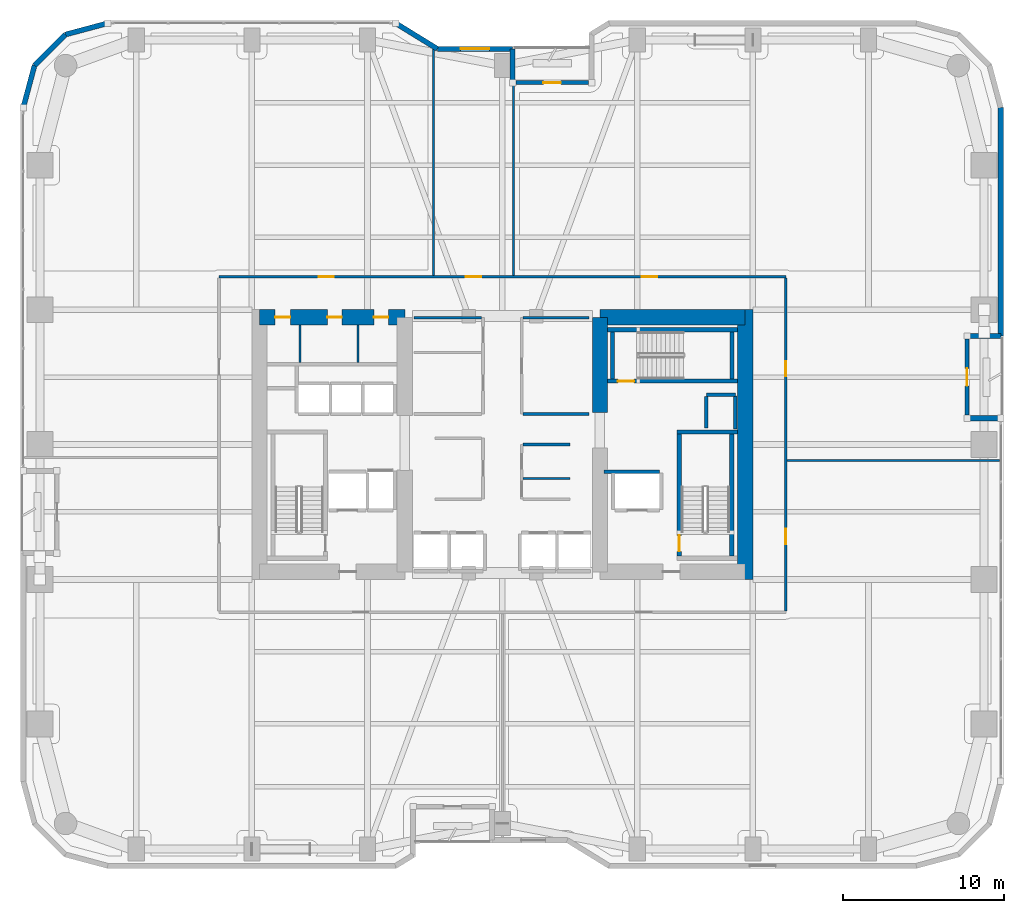
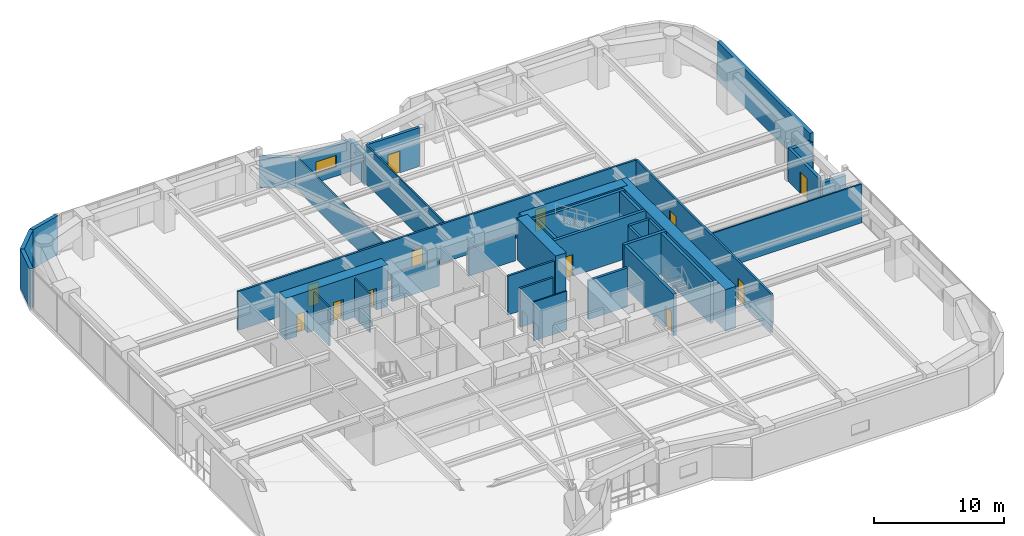
# One storey, part 24 of 29: 38 walls, 12 doors, 1 window, 13 openings.
"""IFC4 building model written with IfcOpenShell, lengths in metres."""

from ifc_helpers import new_model, si_unit, direction, frame, frame_2d, origin, place, context, subcontext, project, spatial, rectangle, extrude, material, layer, layer_set, type_object, element, fill, save


model = new_model("IFC4")

# Units and contexts
model_context = context("Model", 3, precision=1e-05, world=origin(), true_north=direction((0.0, 1.0)))
body_context = subcontext(model_context, "Body", "Model", "MODEL_VIEW")
ifc_project = project(units=[si_unit("LENGTHUNIT", "METRE"), si_unit("AREAUNIT", "SQUARE_METRE"), si_unit("VOLUMEUNIT", "CUBIC_METRE"), si_unit("PLANEANGLEUNIT", "RADIAN"), si_unit("MASSUNIT", "GRAM", prefix="KILO")], contexts=[model_context])

# Site, building, storey
site_placement = place(None, origin())
site = spatial("IfcSite", under=ifc_project, at=site_placement, CompositionType="ELEMENT")
building_placement = place(site_placement, origin())
building = spatial("IfcBuilding", under=site, at=building_placement, Name="Kiyonajd Concourse Tower", CompositionType="ELEMENT")
storey_placement = place(building_placement, frame((0.0, 0.0, 29.39990234375)))
storey = spatial("IfcBuildingStorey", under=building, at=storey_placement, Name="L08", CompositionType="ELEMENT", Elevation=29.39990234375)

# Wall, openings, doors
ifc_material_1 = material(Name="Concrete C80/95", Category="concrete")
ifc_layer_1 = layer(ifc_material_1, 0.949951171875)
ifc_layer_set_1 = layer_set([ifc_layer_1], Name="Concrete C80/95")
wall_type_1 = type_object("IfcWallType", Name="WL-CORE-950", PredefinedType="SHEAR", material=ifc_layer_set_1)
wall_1_placement = place(storey_placement, frame((32.875, 43.925048828125, 0.0), z_axis=(0.0, 0.0, 1.0), x_axis=(1.0, 0.0, 0.0)))
wall_1 = element("IfcWall", 1, at=wall_1_placement, inside=storey, type_object=wall_type_1, Name="L08 West Core North Shear Wall", PredefinedType="SHEAR", context=body_context, shape_type="SweptSolid", body=[
    extrude(rectangle(XDim=9.050048828125, YDim=0.949951171875, at=frame_2d((4.52490234375, 0.0))), origin(), (0.0, 0.0, 1.0), 3.900146484375),
])
opening_1_placement = place(wall_1_placement, frame((0.97509765625, 0.0, 0.0)))
opening_1 = element("IfcOpeningElement", 2, at=opening_1_placement, cuts=wall_1, Name="Opening DI1", PredefinedType="OPENING", context=body_context, shape_type="SweptSolid", body=[
    extrude(rectangle(XDim=0.949951171875, YDim=2.0400390625, at=frame_2d((0.47509765625, 1.02001953125))), frame((0.0, 0.48486328125, 0.0), z_axis=(0.0, -1.0, 0.0), x_axis=(1.0, 0.0, 0.0)), (0.0, 0.0, 1.0), 0.969970703125),
])
opening_2_placement = place(wall_1_placement, frame((4.22509765625, 0.0, 0.0)))
opening_2 = element("IfcOpeningElement", 3, at=opening_2_placement, cuts=wall_1, Name="Opening DI2", PredefinedType="OPENING", context=body_context, shape_type="SweptSolid", body=[
    extrude(rectangle(XDim=0.89990234375, YDim=2.02001953125, at=frame_2d((0.449951171875, 1.010009765625))), frame((0.0, 0.48486328125, 0.0), z_axis=(0.0, -1.0, 0.0), x_axis=(1.0, 0.0, 0.0)), (0.0, 0.0, 1.0), 0.969970703125),
])
opening_3_placement = place(wall_1_placement, frame((7.125, 0.0, 0.0)))
opening_3 = element("IfcOpeningElement", 4, at=opening_3_placement, cuts=wall_1, Name="Opening DI2", PredefinedType="OPENING", context=body_context, shape_type="SweptSolid", body=[
    extrude(rectangle(XDim=0.89990234375, YDim=2.02001953125, at=frame_2d((0.449951171875, 1.010009765625))), frame((0.0, 0.48486328125, 0.0), z_axis=(0.0, -1.0, 0.0), x_axis=(1.0, 0.0, 0.0)), (0.0, 0.0, 1.0), 0.969970703125),
])
ifc_material_2 = material(Name="Natural Oak Acoustic Timber Veneer", Category="wood")
door_type_1 = type_object("IfcDoorType", Name="DR-INT-900", OperationType="NOTDEFINED", PredefinedType="DOOR", material=ifc_material_2)
door_1_placement = place(opening_2_placement, origin())
door_1 = element("IfcDoor", 5, at=door_1_placement, inside=storey, type_object=door_type_1, Name="L08 Male Restroom Door", OperationType="SINGLE_SWING_RIGHT", OverallHeight=2.02001953125, OverallWidth=0.89990234375, PredefinedType="DOOR", context=body_context, shape_type="SweptSolid", body=[
    extrude(rectangle(XDim=0.89990234375, YDim=2.02001953125, at=frame_2d((0.449951171875, 1.010009765625))), frame((0.0, 0.02490234375, 0.0), z_axis=(0.0, -1.0, 0.0), x_axis=(1.0, 0.0, 0.0)), (0.0, 0.0, 1.0), 0.050048828125),
])
fill(opening_2, door_1)
door_2_placement = place(opening_3_placement, origin())
door_2 = element("IfcDoor", 6, at=door_2_placement, inside=storey, type_object=door_type_1, Name="L08 Female Restroom Door", OperationType="SINGLE_SWING_LEFT", OverallHeight=2.02001953125, OverallWidth=0.89990234375, PredefinedType="DOOR", context=body_context, shape_type="SweptSolid", body=[
    extrude(rectangle(XDim=0.89990234375, YDim=2.02001953125, at=frame_2d((0.449951171875, 1.010009765625))), frame((0.0, 0.02490234375, 0.0), z_axis=(0.0, -1.0, 0.0), x_axis=(1.0, 0.0, 0.0)), (0.0, 0.0, 1.0), 0.050048828125),
])
fill(opening_3, door_2)
door_type_2 = type_object("IfcDoorType", Name="DR-INT-950", OperationType="NOTDEFINED", PredefinedType="DOOR", material=ifc_material_2)
door_3_placement = place(opening_1_placement, origin())
door_3 = element("IfcDoor", 7, at=door_3_placement, inside=storey, type_object=door_type_2, Name="L08 Single User Accessible WC Door", OperationType="SINGLE_SWING_LEFT", OverallHeight=2.0400390625, OverallWidth=0.949951171875, PredefinedType="DOOR", context=body_context, shape_type="SweptSolid", body=[
    extrude(rectangle(XDim=0.949951171875, YDim=2.0400390625, at=frame_2d((0.47509765625, 1.02001953125))), frame((0.0, 0.02490234375, 0.0), z_axis=(0.0, -1.0, 0.0), x_axis=(1.0, 0.0, 0.0)), (0.0, 0.0, 1.0), 0.050048828125),
])
fill(opening_1, door_3)

# Walls
wall_2_placement = place(storey_placement, frame((54.074951171875, 38.0, 0.0), z_axis=(0.0, 0.0, 1.0), x_axis=(0.0, 1.0, 0.0)))
element("IfcWall", 8, at=wall_2_placement, inside=storey, type_object=wall_type_1, Name="L08 East Core Inner North Shear Wall", PredefinedType="SHEAR", context=body_context, shape_type="SweptSolid", body=[
    extrude(rectangle(XDim=5.925048828125, YDim=0.949951171875, at=frame_2d((2.96240234375, 0.0))), origin(), (0.0, 0.0, 1.0), 3.900146484375),
])
wall_3_placement = place(storey_placement, frame((63.125, 27.60009765625, 0.0), z_axis=(0.0, 0.0, 1.0), x_axis=(0.0, 1.0, 0.0)))
element("IfcWall", 9, at=wall_3_placement, inside=storey, type_object=wall_type_1, Name="L08 East Core Outer Shear Wall", PredefinedType="SHEAR", context=body_context, shape_type="SweptSolid", body=[
    extrude(rectangle(XDim=16.7998046875, YDim=0.949951171875, at=frame_2d((8.39990234375, 0.0))), origin(), (0.0, 0.0, 1.0), 3.900146484375),
])
wall_4_placement = place(storey_placement, frame((54.074951171875, 43.925048828125, 0.0), z_axis=(0.0, 0.0, 1.0), x_axis=(1.0, 0.0, 0.0)))
element("IfcWall", 10, at=wall_4_placement, inside=storey, type_object=wall_type_1, Name="L08 East Core North Shear Wall", PredefinedType="SHEAR", context=body_context, shape_type="SweptSolid", body=[
    extrude(rectangle(XDim=9.050048828125, YDim=0.949951171875, at=frame_2d((4.52490234375, 0.0))), origin(), (0.0, 0.0, 1.0), 3.900146484375),
])
ifc_material_3 = material(Name="Precast concrete C50/60", Category="concrete")
ifc_layer_2 = layer(ifc_material_3, 0.320068359375)
ifc_layer_set_2 = layer_set([ifc_layer_2], Name="Precast concrete C50/60")
wall_type_2 = type_object("IfcWallType", Name="WL-EXT-320", PredefinedType="SOLIDWALL", material=ifc_layer_set_2)
wall_5_placement = place(storey_placement, frame((18.159912109375, 56.97900390625, 0.0), z_axis=(0.0, 0.0, 1.0), x_axis=(0.25869736047, 0.965958423373, 0.0)))
element("IfcWall", 11, at=wall_5_placement, inside=storey, type_object=wall_type_2, Name="L08 Exterior Concrete Frame Wall 06", PredefinedType="SOLIDWALL", context=body_context, shape_type="SweptSolid", body=[
    extrude(rectangle(XDim=2.731201171875, YDim=0.320068359375, at=frame_2d((1.36572265625, 0.0))), origin(), (0.0, 0.0, 1.0), 3.64013671875),
])
wall_6_placement = place(storey_placement, frame((18.866455078125, 59.6171875, 0.0), z_axis=(0.0, 0.0, 1.0), x_axis=(0.707106781187, 0.707106781187, 0.0)))
element("IfcWall", 12, at=wall_6_placement, inside=storey, type_object=wall_type_2, Name="L08 Exterior Concrete Frame Wall 07", PredefinedType="SOLIDWALL", context=body_context, shape_type="SweptSolid", body=[
    extrude(rectangle(XDim=2.7099609375, YDim=0.320068359375, at=frame_2d((1.35498046875, 0.0))), origin(), (0.0, 0.0, 1.0), 3.64013671875),
])
wall_7_placement = place(storey_placement, frame((20.78271484375, 61.533447265625, 0.0), z_axis=(0.0, 0.0, 1.0), x_axis=(0.965964405026, 0.25867502435, 0.0)))
element("IfcWall", 13, at=wall_7_placement, inside=storey, type_object=wall_type_2, Name="L08 Exterior Concrete Frame Wall 08", PredefinedType="SOLIDWALL", context=body_context, shape_type="SweptSolid", body=[
    extrude(rectangle(XDim=2.7314453125, YDim=0.320068359375, at=frame_2d((1.36572265625, 0.0))), origin(), (0.0, 0.0, 1.0), 3.64013671875),
])
wall_8_placement = place(storey_placement, frame((41.354736328125, 62.239990234375, 0.0), z_axis=(0.0, 0.0, 1.0), x_axis=(0.851630857047, -0.524142044989, 0.0)))
element("IfcWall", 14, at=wall_8_placement, inside=storey, type_object=wall_type_2, Name="L08 Exterior Concrete Frame Wall 10", PredefinedType="SOLIDWALL", context=body_context, shape_type="SweptSolid", body=[
    extrude(rectangle(XDim=3.052734375, YDim=0.320068359375, at=frame_2d((1.5263671875, 0.0))), origin(), (0.0, 0.0, 1.0), 2.875),
])

# Wall, opening, window
wall_9_placement = place(storey_placement, frame((43.95458984375, 60.639892578125, 0.0), z_axis=(0.0, 0.0, 1.0), x_axis=(1.0, 0.0, 0.0)))
wall_9 = element("IfcWall", 15, at=wall_9_placement, inside=storey, type_object=wall_type_2, Name="L08 Exterior Concrete Frame Wall 11", PredefinedType="SOLIDWALL", context=body_context, shape_type="SweptSolid", body=[
    extrude(rectangle(XDim=4.685302734375, YDim=0.320068359375, at=frame_2d((2.3427734375, 0.0))), origin(), (0.0, 0.0, 1.0), 2.875),
])
opening_4_placement = place(wall_9_placement, frame((1.443115234375, 0.0, 0.85009765625)))
opening_4 = element("IfcOpeningElement", 16, at=opening_4_placement, cuts=wall_9, Name="Opening WN1", PredefinedType="OPENING", context=body_context, shape_type="SweptSolid", body=[
    extrude(rectangle(XDim=1.800048828125, YDim=1.10009765625, at=frame_2d((0.89990234375, 0.550048828125))), frame((0.0, 0.169921875, 0.0), z_axis=(0.0, -1.0, 0.0), x_axis=(1.0, 0.0, 0.0)), (0.0, 0.0, 1.0), 0.340087890625),
])
ifc_material_4 = material(Name="Double Low-E Insulated Glass", Category="glass")
window_type = type_object("IfcWindowType", Name="WN-VIS-1800x1100", PartitioningType="SINGLE_PANEL", PredefinedType="WINDOW", material=ifc_material_4)
window_placement = place(opening_4_placement, origin())
window = element("IfcWindow", 17, at=window_placement, inside=storey, type_object=window_type, Name="L08 Modular Facade Vision Window 11", OverallHeight=1.10009765625, OverallWidth=1.800048828125, PartitioningType="SINGLE_PANEL", PredefinedType="WINDOW", context=body_context, shape_type="SweptSolid", body=[
    extrude(rectangle(XDim=1.800048828125, YDim=1.10009765625, at=frame_2d((0.89990234375, 0.550048828125))), frame((0.0, 0.030029296875, 0.0), z_axis=(0.0, -1.0, 0.0), x_axis=(1.0, 0.0, 0.0)), (0.0, 0.0, 1.0), 0.06005859375),
])
fill(opening_4, window)

# Walls
wall_10_placement = place(storey_placement, frame((48.639892578125, 60.639892578125, 0.0), z_axis=(0.0, 0.0, 1.0), x_axis=(0.0, -1.0, 0.0)))
element("IfcWall", 18, at=wall_10_placement, inside=storey, type_object=wall_type_2, Name="L08 Exterior Concrete Frame Wall 12", PredefinedType="SOLIDWALL", context=body_context, shape_type="SweptSolid", body=[
    extrude(rectangle(XDim=2.099853515625, YDim=0.320068359375, at=frame_2d((1.0498046875, 0.0))), origin(), (0.0, 0.0, 1.0), 2.875),
])
wall_11_placement = place(storey_placement, frame((79.0400390625, 56.97900390625, 0.0), z_axis=(0.0, 0.0, 1.0), x_axis=(0.0, -1.0, 0.0)))
element("IfcWall", 19, at=wall_11_placement, inside=storey, type_object=wall_type_2, Name="L08 Exterior Concrete Frame Wall 20", PredefinedType="SOLIDWALL", context=body_context, shape_type="SweptSolid", body=[
    extrude(rectangle(XDim=14.218994140625, YDim=0.320068359375, at=frame_2d((7.109375, 0.0))), origin(), (0.0, 0.0, 1.0), 3.64013671875),
])
for number, where, z_axis, x_axis, name in (
    (20, (79.0400390625, 42.760009765625, 0.0), (0.0, 0.0, 1.0), (-1.0, 0.0, 0.0), "L08 Exterior Concrete Frame Wall 21"),
    (21, (76.93994140625, 37.639892578125, 0.0), (0.0, 0.0, 1.0), (1.0, 0.0, 0.0), "L08 Exterior Concrete Frame Wall 23"),
):
    element("IfcWall", number, at=place(storey_placement, frame(where, z_axis=z_axis, x_axis=x_axis)), inside=storey, type_object=wall_type_2, Name=name, PredefinedType="SOLIDWALL", context=body_context, shape_type="SweptSolid", body=[
        extrude(rectangle(XDim=2.10009765625, YDim=0.320068359375, at=frame_2d((1.050048828125, 0.0))), origin(), (0.0, 0.0, 1.0), 2.875),
    ])

# Wall, opening, door
ifc_layer_3 = layer(ifc_material_3, 0.239990234375)
ifc_layer_set_3 = layer_set([ifc_layer_3], Name="Precast concrete C50/60")
wall_type_3 = type_object("IfcWallType", Name="WL-LOG-240", PredefinedType="SOLIDWALL", material=ifc_layer_set_3)
wall_12_placement = place(storey_placement, frame((48.8349609375, 58.5400390625, 0.0), z_axis=(0.0, 0.0, 1.0), x_axis=(1.0, 0.0, 0.0)))
wall_12 = element("IfcWall", 22, at=wall_12_placement, inside=storey, type_object=wall_type_3, Name="L08 Recessed Loggia Thermal Wall LOG-N", PredefinedType="SOLIDWALL", context=body_context, shape_type="SweptSolid", body=[
    extrude(rectangle(XDim=4.530029296875, YDim=0.239990234375, at=frame_2d((2.26513671875, 0.0))), origin(), (0.0, 0.0, 1.0), 3.64013671875),
])
opening_5_placement = place(wall_12_placement, frame((1.715087890625, 0.0, 0.0)))
opening_5 = element("IfcOpeningElement", 23, at=opening_5_placement, cuts=wall_12, Name="Opening DL2", PredefinedType="OPENING", context=body_context, shape_type="SweptSolid", body=[
    extrude(rectangle(XDim=1.10009765625, YDim=2.0400390625, at=frame_2d((0.550048828125, 1.02001953125))), frame((0.0, 0.1298828125, 0.0), z_axis=(0.0, -1.0, 0.0), x_axis=(1.0, 0.0, 0.0)), (0.0, 0.0, 1.0), 0.260009765625),
])
ifc_material_5 = material(Name="Thermally Broken Anodised Aluminium", Category="aluminium")
door_type_3 = type_object("IfcDoorType", Name="DR-LOG-1100", OperationType="NOTDEFINED", PredefinedType="DOOR", material=ifc_material_5)
door_4_placement = place(opening_5_placement, origin())
door_4 = element("IfcDoor", 24, at=door_4_placement, inside=storey, type_object=door_type_3, Name="L08 Engawa Loggia Access Door LOG-N", OperationType="SINGLE_SWING_RIGHT", OverallHeight=2.0400390625, OverallWidth=1.10009765625, PredefinedType="DOOR", context=body_context, shape_type="SweptSolid", body=[
    extrude(rectangle(XDim=1.10009765625, YDim=2.0400390625, at=frame_2d((0.550048828125, 1.02001953125))), frame((0.0, 0.02490234375, 0.0), z_axis=(0.0, -1.0, 0.0), x_axis=(1.0, 0.0, 0.0)), (0.0, 0.0, 1.0), 0.050048828125),
])
fill(opening_5, door_4)

wall_13_placement = place(storey_placement, frame((76.93994140625, 42.56494140625, 0.0), z_axis=(0.0, 0.0, 1.0), x_axis=(0.0, -1.0, 0.0)))
wall_13 = element("IfcWall", 25, at=wall_13_placement, inside=storey, type_object=wall_type_3, Name="L08 Recessed Loggia Thermal Wall LOG-E", PredefinedType="SOLIDWALL", context=body_context, shape_type="SweptSolid", body=[
    extrude(rectangle(XDim=4.72998046875, YDim=0.239990234375, at=frame_2d((2.364990234375, 0.0))), origin(), (0.0, 0.0, 1.0), 3.162109375),
])
opening_6_placement = place(wall_13_placement, frame((1.81494140625, 0.0, 0.0)))
opening_6 = element("IfcOpeningElement", 26, at=opening_6_placement, cuts=wall_13, Name="Opening DL2", PredefinedType="OPENING", context=body_context, shape_type="SweptSolid", body=[
    extrude(rectangle(XDim=1.10009765625, YDim=2.0400390625, at=frame_2d((0.550048828125, 1.02001953125))), frame((0.0, 0.1298828125, 0.0), z_axis=(0.0, -1.0, 0.0), x_axis=(1.0, 0.0, 0.0)), (0.0, 0.0, 1.0), 0.260009765625),
])
door_5_placement = place(opening_6_placement, origin())
door_5 = element("IfcDoor", 27, at=door_5_placement, inside=storey, type_object=door_type_3, Name="L08 Engawa Loggia Access Door LOG-E", OperationType="SINGLE_SWING_LEFT", OverallHeight=2.0400390625, OverallWidth=1.10009765625, PredefinedType="DOOR", context=body_context, shape_type="SweptSolid", body=[
    extrude(rectangle(XDim=1.10009765625, YDim=2.0400390625, at=frame_2d((0.550048828125, 1.02001953125))), frame((0.0, 0.02490234375, 0.0), z_axis=(0.0, -1.0, 0.0), x_axis=(1.0, 0.0, 0.0)), (0.0, 0.0, 1.0), 0.050048828125),
])
fill(opening_6, door_5)

# Walls
ifc_material_6 = material(Name="Gypsum Board on Cold-Formed Steel Stud", Category="steel")
ifc_layer_4 = layer(ifc_material_6, 0.125)
ifc_layer_set_4 = layer_set([ifc_layer_4], Name="Gypsum Board on Cold-Formed Steel Stud")
wall_type_4 = type_object("IfcWallType", Name="WL-PART-125", PredefinedType="PARTITIONING", material=ifc_layer_set_4)
for number, where, z_axis, x_axis, name in (
    (28, (35.39990234375, 41.094970703125, 0.0), (0.0, 0.0, 1.0), (0.0, 1.0, 0.0), "L08 Interior Partition Wall"),
    (29, (39.0, 41.094970703125, 0.0), (0.0, 0.0, 1.0), (0.0, 1.0, 0.0), "L08 Interior Partition Wall"),
):
    element("IfcWall", number, at=place(storey_placement, frame(where, z_axis=z_axis, x_axis=x_axis)), inside=storey, type_object=wall_type_4, Name=name, PredefinedType="PARTITIONING", context=body_context, shape_type="SweptSolid", body=[
        extrude(rectangle(XDim=2.35498046875, YDim=0.125, at=frame_2d((1.177490234375, 0.0))), origin(), (0.0, 0.0, 1.0), 3.64013671875),
    ])
wall_14_placement = place(storey_placement, frame((49.287109375, 33.89208984375, 0.0), z_axis=(0.0, 0.0, 1.0), x_axis=(1.0, 0.0, 0.0)))
element("IfcWall", 30, at=wall_14_placement, inside=storey, type_object=wall_type_4, Name="L08 Interior Partition Wall", PredefinedType="PARTITIONING", context=body_context, shape_type="SweptSolid", body=[
    extrude(rectangle(XDim=2.912841796875, YDim=0.125, at=frame_2d((1.45654296875, 0.0))), origin(), (0.0, 0.0, 1.0), 3.64013671875),
])
wall_15_placement = place(storey_placement, frame((43.719970703125, 46.537109375, 0.0), z_axis=(0.0, 0.0, 1.0), x_axis=(0.0, 1.0, 0.0)))
element("IfcWall", 31, at=wall_15_placement, inside=storey, type_object=wall_type_4, Name="L08 Interior Partition Wall", PredefinedType="PARTITIONING", context=body_context, shape_type="SweptSolid", body=[
    extrude(rectangle(XDim=14.0927734375, YDim=0.125, at=frame_2d((7.04638671875, 0.0))), origin(), (0.0, 0.0, 1.0), 3.003173828125),
])
wall_16_placement = place(storey_placement, frame((48.68994140625, 46.537109375, 0.0), z_axis=(0.0, 0.0, 1.0), x_axis=(0.0, 1.0, 0.0)))
element("IfcWall", 32, at=wall_16_placement, inside=storey, type_object=wall_type_4, Name="L08 Interior Partition Wall", PredefinedType="PARTITIONING", context=body_context, shape_type="SweptSolid", body=[
    extrude(rectangle(XDim=12.0029296875, YDim=0.125, at=frame_2d((6.00146484375, 0.0))), origin(), (0.0, 0.0, 1.0), 3.64013671875),
])
wall_17_placement = place(storey_placement, frame((65.737060546875, 35.0, 0.0), z_axis=(0.0, 0.0, 1.0), x_axis=(1.0, 0.0, 0.0)))
element("IfcWall", 33, at=wall_17_placement, inside=storey, type_object=wall_type_4, Name="L08 Interior Partition Wall", PredefinedType="PARTITIONING", context=body_context, shape_type="SweptSolid", body=[
    extrude(rectangle(XDim=13.218017578125, YDim=0.125, at=frame_2d((6.60888671875, 0.0))), origin(), (0.0, 0.0, 1.0), 3.64013671875),
])
ifc_layer_5 = layer(ifc_material_6, 0.2099609375)
ifc_layer_set_5 = layer_set([ifc_layer_5], Name="Gypsum Board on Cold-Formed Steel Stud")
wall_type_5 = type_object("IfcWallType", Name="WL-SHAFT-210", PredefinedType="PARTITIONING", material=ifc_layer_set_5)
wall_18_placement = place(storey_placement, frame((60.719970703125, 39.10009765625, 0.0), z_axis=(0.0, 0.0, 1.0), x_axis=(1.0, 0.0, 0.0)))
element("IfcWall", 34, at=wall_18_placement, inside=storey, type_object=wall_type_5, Name="L08 Shaft Enclosure Wall", PredefinedType="PARTITIONING", context=body_context, shape_type="SweptSolid", body=[
    extrude(rectangle(XDim=1.800048828125, YDim=0.2099609375, at=frame_2d((0.89990234375, 0.0))), origin(), (0.0, 0.0, 1.0), 3.64013671875),
])
wall_19_placement = place(storey_placement, frame((60.699951171875, 37.02001953125, 0.0), z_axis=(0.0, 0.0, 1.0), x_axis=(0.0, 1.0, 0.0)))
element("IfcWall", 35, at=wall_19_placement, inside=storey, type_object=wall_type_5, Name="L08 Shaft Enclosure Wall", PredefinedType="PARTITIONING", context=body_context, shape_type="SweptSolid", body=[
    extrude(rectangle(XDim=1.9599609375, YDim=0.2099609375, at=frame_2d((0.97998046875, 0.0))), origin(), (0.0, 0.0, 1.0), 3.64013671875),
])
wall_20_placement = place(storey_placement, frame((62.5, 36.97998046875, 0.0), z_axis=(0.0, 0.0, 1.0), x_axis=(0.0, 1.0, 0.0)))
element("IfcWall", 36, at=wall_20_placement, inside=storey, type_object=wall_type_5, Name="L08 Shaft Enclosure Wall", PredefinedType="PARTITIONING", context=body_context, shape_type="SweptSolid", body=[
    extrude(rectangle(XDim=2.0400390625, YDim=0.2099609375, at=frame_2d((1.02001953125, 0.0))), origin(), (0.0, 0.0, 1.0), 3.64013671875),
])
wall_21_placement = place(storey_placement, frame((54.320068359375, 34.300048828125, 0.0), z_axis=(0.0, 0.0, 1.0), x_axis=(1.0, 0.0, 0.0)))
element("IfcWall", 37, at=wall_21_placement, inside=storey, type_object=wall_type_5, Name="L08 Shaft Enclosure Wall", PredefinedType="PARTITIONING", context=body_context, shape_type="SweptSolid", body=[
    extrude(rectangle(XDim=3.47998046875, YDim=0.2099609375, at=frame_2d((1.739990234375, 0.0))), origin(), (0.0, 0.0, 1.0), 3.64013671875),
])
ifc_layer_6 = layer(ifc_material_6, 0.169921875)
ifc_layer_set_6 = layer_set([ifc_layer_6], Name="Gypsum Board on Cold-Formed Steel Stud")
wall_type_6 = type_object("IfcWallType", Name="WL-SMK-170", PredefinedType="PARTITIONING", material=ifc_layer_set_6)
wall_22_placement = place(storey_placement, frame((49.287109375, 36.0, 0.0), z_axis=(0.0, 0.0, 1.0), x_axis=(1.0, 0.0, 0.0)))
element("IfcWall", 38, at=wall_22_placement, inside=storey, type_object=wall_type_6, Name="L08 Interior Partition Wall", PredefinedType="PARTITIONING", context=body_context, shape_type="SweptSolid", body=[
    extrude(rectangle(XDim=2.912841796875, YDim=0.169921875, at=frame_2d((1.45654296875, 0.0))), origin(), (0.0, 0.0, 1.0), 3.64013671875),
])
wall_23_placement = place(storey_placement, frame((42.5, 43.89990234375, 0.0), z_axis=(0.0, 0.0, 1.0), x_axis=(1.0, 0.0, 0.0)))
element("IfcWall", 39, at=wall_23_placement, inside=storey, type_object=wall_type_6, Name="L08 Interior Partition Wall", PredefinedType="PARTITIONING", context=body_context, shape_type="SweptSolid", body=[
    extrude(rectangle(XDim=4.212890625, YDim=0.169921875, at=frame_2d((2.1064453125, 0.0))), origin(), (0.0, 0.0, 1.0), 2.525146484375),
])
wall_24_placement = place(storey_placement, frame((49.287109375, 37.89990234375, 0.0), z_axis=(0.0, 0.0, 1.0), x_axis=(1.0, 0.0, 0.0)))
element("IfcWall", 40, at=wall_24_placement, inside=storey, type_object=wall_type_6, Name="L08 Interior Partition Wall", PredefinedType="PARTITIONING", context=body_context, shape_type="SweptSolid", body=[
    extrude(rectangle(XDim=4.11279296875, YDim=0.169921875, at=frame_2d((2.056396484375, 0.0))), origin(), (0.0, 0.0, 1.0), 3.64013671875),
])
wall_25_placement = place(storey_placement, frame((49.287109375, 43.89990234375, 0.0), z_axis=(0.0, 0.0, 1.0), x_axis=(1.0, 0.0, 0.0)))
element("IfcWall", 41, at=wall_25_placement, inside=storey, type_object=wall_type_6, Name="L08 Interior Partition Wall", PredefinedType="PARTITIONING", context=body_context, shape_type="SweptSolid", body=[
    extrude(rectangle(XDim=4.11279296875, YDim=0.169921875, at=frame_2d((2.056396484375, 0.0))), origin(), (0.0, 0.0, 1.0), 2.525146484375),
])

# Wall, openings, doors
wall_26_placement = place(storey_placement, frame((30.35009765625, 46.449951171875, 0.0), z_axis=(0.0, 0.0, 1.0), x_axis=(1.0, 0.0, 0.0)))
wall_26 = element("IfcWall", 42, at=wall_26_placement, inside=storey, type_object=wall_type_6, Name="L08 Interior Partition Wall", PredefinedType="PARTITIONING", context=body_context, shape_type="SweptSolid", body=[
    extrude(rectangle(XDim=35.2998046875, YDim=0.169921875, at=frame_2d((17.64990234375, 0.0))), origin(), (0.0, 0.0, 1.0), 3.64013671875),
])
opening_7_placement = place(wall_26_placement, frame((6.2099609375, 0.0, 0.0)))
opening_7 = element("IfcOpeningElement", 43, at=opening_7_placement, cuts=wall_26, Name="Opening DI1", PredefinedType="OPENING", context=body_context, shape_type="SweptSolid", body=[
    extrude(rectangle(XDim=0.949951171875, YDim=2.0400390625, at=frame_2d((0.47509765625, 1.02001953125))), frame((0.0, 0.094970703125, 0.0), z_axis=(0.0, -1.0, 0.0), x_axis=(1.0, 0.0, 0.0)), (0.0, 0.0, 1.0), 0.18994140625),
])
opening_8_placement = place(wall_26_placement, frame((15.3798828125, 0.0, 0.0)))
opening_8 = element("IfcOpeningElement", 44, at=opening_8_placement, cuts=wall_26, Name="Opening DI1", PredefinedType="OPENING", context=body_context, shape_type="SweptSolid", body=[
    extrude(rectangle(XDim=0.949951171875, YDim=2.0400390625, at=frame_2d((0.47509765625, 1.02001953125))), frame((0.0, 0.094970703125, 0.0), z_axis=(0.0, -1.0, 0.0), x_axis=(1.0, 0.0, 0.0)), (0.0, 0.0, 1.0), 0.18994140625),
])
opening_9_placement = place(wall_26_placement, frame((26.344970703125, 0.0, 0.0)))
opening_9 = element("IfcOpeningElement", 45, at=opening_9_placement, cuts=wall_26, Name="Opening DI1", PredefinedType="OPENING", context=body_context, shape_type="SweptSolid", body=[
    extrude(rectangle(XDim=0.949951171875, YDim=2.0400390625, at=frame_2d((0.47509765625, 1.02001953125))), frame((0.0, 0.094970703125, 0.0), z_axis=(0.0, -1.0, 0.0), x_axis=(1.0, 0.0, 0.0)), (0.0, 0.0, 1.0), 0.18994140625),
])
door_6_placement = place(opening_7_placement, origin())
door_6 = element("IfcDoor", 46, at=door_6_placement, inside=storey, type_object=door_type_2, Name="L08 Interior Door", OperationType="SINGLE_SWING_RIGHT", OverallHeight=2.0400390625, OverallWidth=0.949951171875, PredefinedType="DOOR", context=body_context, shape_type="SweptSolid", body=[
    extrude(rectangle(XDim=0.949951171875, YDim=2.0400390625, at=frame_2d((0.47509765625, 1.02001953125))), frame((0.0, 0.02490234375, 0.0), z_axis=(0.0, -1.0, 0.0), x_axis=(1.0, 0.0, 0.0)), (0.0, 0.0, 1.0), 0.050048828125),
])
fill(opening_7, door_6)
door_7_placement = place(opening_8_placement, origin())
door_7 = element("IfcDoor", 47, at=door_7_placement, inside=storey, type_object=door_type_2, Name="L08 Interior Door", OperationType="SINGLE_SWING_LEFT", OverallHeight=2.0400390625, OverallWidth=0.949951171875, PredefinedType="DOOR", context=body_context, shape_type="SweptSolid", body=[
    extrude(rectangle(XDim=0.949951171875, YDim=2.0400390625, at=frame_2d((0.47509765625, 1.02001953125))), frame((0.0, 0.02490234375, 0.0), z_axis=(0.0, -1.0, 0.0), x_axis=(1.0, 0.0, 0.0)), (0.0, 0.0, 1.0), 0.050048828125),
])
fill(opening_8, door_7)
door_8_placement = place(opening_9_placement, origin())
door_8 = element("IfcDoor", 48, at=door_8_placement, inside=storey, type_object=door_type_2, Name="L08 Interior Door", OperationType="SINGLE_SWING_RIGHT", OverallHeight=2.0400390625, OverallWidth=0.949951171875, PredefinedType="DOOR", context=body_context, shape_type="SweptSolid", body=[
    extrude(rectangle(XDim=0.949951171875, YDim=2.0400390625, at=frame_2d((0.47509765625, 1.02001953125))), frame((0.0, 0.02490234375, 0.0), z_axis=(0.0, -1.0, 0.0), x_axis=(1.0, 0.0, 0.0)), (0.0, 0.0, 1.0), 0.050048828125),
])
fill(opening_9, door_8)

wall_27_placement = place(storey_placement, frame((65.64990234375, 25.636962890625, 0.0), z_axis=(0.0, 0.0, 1.0), x_axis=(0.0, 1.0, 0.0)))
wall_27 = element("IfcWall", 49, at=wall_27_placement, inside=storey, type_object=wall_type_6, Name="L08 Interior Partition Wall", PredefinedType="PARTITIONING", context=body_context, shape_type="SweptSolid", body=[
    extrude(rectangle(XDim=20.72607421875, YDim=0.169921875, at=frame_2d((10.363037109375, 0.0))), origin(), (0.0, 0.0, 1.0), 3.64013671875),
])
opening_10_placement = place(wall_27_placement, frame((4.1630859375, 0.0, 0.0)))
opening_10 = element("IfcOpeningElement", 50, at=opening_10_placement, cuts=wall_27, Name="Opening DI1", PredefinedType="OPENING", context=body_context, shape_type="SweptSolid", body=[
    extrude(rectangle(XDim=0.949951171875, YDim=2.0400390625, at=frame_2d((0.47509765625, 1.02001953125))), frame((0.0, 0.094970703125, 0.0), z_axis=(0.0, -1.0, 0.0), x_axis=(1.0, 0.0, 0.0)), (0.0, 0.0, 1.0), 0.18994140625),
])
opening_11_placement = place(wall_27_placement, frame((14.613037109375, 0.0, 0.0)))
opening_11 = element("IfcOpeningElement", 51, at=opening_11_placement, cuts=wall_27, Name="Opening DI1", PredefinedType="OPENING", context=body_context, shape_type="SweptSolid", body=[
    extrude(rectangle(XDim=0.949951171875, YDim=2.0400390625, at=frame_2d((0.47509765625, 1.02001953125))), frame((0.0, 0.094970703125, 0.0), z_axis=(0.0, -1.0, 0.0), x_axis=(1.0, 0.0, 0.0)), (0.0, 0.0, 1.0), 0.18994140625),
])
door_9_placement = place(opening_10_placement, origin())
door_9 = element("IfcDoor", 52, at=door_9_placement, inside=storey, type_object=door_type_2, Name="L08 Interior Door", OperationType="SINGLE_SWING_LEFT", OverallHeight=2.0400390625, OverallWidth=0.949951171875, PredefinedType="DOOR", context=body_context, shape_type="SweptSolid", body=[
    extrude(rectangle(XDim=0.949951171875, YDim=2.0400390625, at=frame_2d((0.47509765625, 1.02001953125))), frame((0.0, 0.02490234375, 0.0), z_axis=(0.0, -1.0, 0.0), x_axis=(1.0, 0.0, 0.0)), (0.0, 0.0, 1.0), 0.050048828125),
])
fill(opening_10, door_9)
door_10_placement = place(opening_11_placement, origin())
door_10 = element("IfcDoor", 53, at=door_10_placement, inside=storey, type_object=door_type_2, Name="L08 Interior Door", OperationType="SINGLE_SWING_RIGHT", OverallHeight=2.0400390625, OverallWidth=0.949951171875, PredefinedType="DOOR", context=body_context, shape_type="SweptSolid", body=[
    extrude(rectangle(XDim=0.949951171875, YDim=2.0400390625, at=frame_2d((0.47509765625, 1.02001953125))), frame((0.0, 0.02490234375, 0.0), z_axis=(0.0, -1.0, 0.0), x_axis=(1.0, 0.0, 0.0)), (0.0, 0.0, 1.0), 0.050048828125),
])
fill(opening_11, door_10)

# Wall
ifc_material_7 = material(Name="Concrete C50/60", Category="concrete")
ifc_layer_7 = layer(ifc_material_7, 0.260009765625)
ifc_layer_set_7 = layer_set([ifc_layer_7], Name="Concrete C50/60")
wall_type_7 = type_object("IfcWallType", Name="WL-STAIR-260", PredefinedType="SHEAR", material=ifc_layer_set_7)
wall_28_placement = place(storey_placement, frame((58.889892578125, 36.780029296875, 0.0), z_axis=(0.0, 0.0, 1.0), x_axis=(1.0, 0.0, 0.0)))
element("IfcWall", 54, at=wall_28_placement, inside=storey, type_object=wall_type_7, Name="L08 Stair ST2 Structural North Wall", PredefinedType="SHEAR", context=body_context, shape_type="SweptSolid", body=[
    extrude(rectangle(XDim=3.760009765625, YDim=0.260009765625, at=frame_2d((1.8798828125, 0.0))), origin(), (0.0, 0.0, 1.0), 3.900146484375),
])

# Wall, opening, door
wall_29_placement = place(storey_placement, frame((59.02001953125, 29.050048828125, 0.0), z_axis=(0.0, 0.0, 1.0), x_axis=(0.0, 1.0, 0.0)))
wall_29 = element("IfcWall", 55, at=wall_29_placement, inside=storey, type_object=wall_type_7, Name="L08 Stair ST2 Structural West Wall", PredefinedType="SHEAR", context=body_context, shape_type="SweptSolid", body=[
    extrude(rectangle(XDim=7.599853515625, YDim=0.260009765625, at=frame_2d((3.7998046875, 0.0))), origin(), (0.0, 0.0, 1.0), 3.900146484375),
])
opening_12_placement = place(wall_29_placement, frame((0.300048828125, 0.0, 0.0)))
opening_12 = element("IfcOpeningElement", 56, at=opening_12_placement, cuts=wall_29, Name="Opening DF1", PredefinedType="OPENING", context=body_context, shape_type="SweptSolid", body=[
    extrude(rectangle(XDim=1.0, YDim=2.0400390625, at=frame_2d((0.5, 1.02001953125))), frame((0.0, 0.139892578125, 0.0), z_axis=(0.0, -1.0, 0.0), x_axis=(1.0, 0.0, 0.0)), (0.0, 0.0, 1.0), 0.280029296875),
])
ifc_material_8 = material(Name="Brushed Stainless Steel Cab Assembly", Category="steel")
door_type_4 = type_object("IfcDoorType", Name="DR-FD90-1000", OperationType="NOTDEFINED", PredefinedType="DOOR", material=ifc_material_8)
door_11_placement = place(opening_12_placement, origin())
door_11 = element("IfcDoor", 57, at=door_11_placement, inside=storey, type_object=door_type_4, Name="L08 Stair ST2 FSAE Door", OperationType="SINGLE_SWING_RIGHT", OverallHeight=2.0400390625, OverallWidth=1.0, PredefinedType="DOOR", context=body_context, shape_type="SweptSolid", body=[
    extrude(rectangle(XDim=1.0, YDim=2.0400390625, at=frame_2d((0.5, 1.02001953125))), frame((0.0, 0.02490234375, 0.0), z_axis=(0.0, -1.0, 0.0), x_axis=(1.0, 0.0, 0.0)), (0.0, 0.0, 1.0), 0.050048828125),
])
fill(opening_12, door_11)

# Wall
wall_30_placement = place(storey_placement, frame((62.280029296875, 29.050048828125, 0.0), z_axis=(0.0, 0.0, 1.0), x_axis=(0.0, 1.0, 0.0)))
element("IfcWall", 58, at=wall_30_placement, inside=storey, type_object=wall_type_7, Name="L08 Stair ST2 Structural East Wall", PredefinedType="SHEAR", context=body_context, shape_type="SweptSolid", body=[
    extrude(rectangle(XDim=7.599853515625, YDim=0.260009765625, at=frame_2d((3.7998046875, 0.0))), origin(), (0.0, 0.0, 1.0), 3.900146484375),
])

# Wall, opening, door
wall_31_placement = place(storey_placement, frame((54.550048828125, 39.949951171875, 0.0), z_axis=(0.0, 0.0, 1.0), x_axis=(1.0, 0.0, 0.0)))
wall_31 = element("IfcWall", 59, at=wall_31_placement, inside=storey, type_object=wall_type_7, Name="L08 Stair ST3 Structural South Wall", PredefinedType="SHEAR", context=body_context, shape_type="SweptSolid", body=[
    extrude(rectangle(XDim=8.099853515625, YDim=0.260009765625, at=frame_2d((4.0498046875, 0.0))), origin(), (0.0, 0.0, 1.0), 3.900146484375),
])
opening_13_placement = place(wall_31_placement, frame((0.64990234375, 0.0, 0.0)))
opening_13 = element("IfcOpeningElement", 60, at=opening_13_placement, cuts=wall_31, Name="Opening DF1", PredefinedType="OPENING", context=body_context, shape_type="SweptSolid", body=[
    extrude(rectangle(XDim=1.0, YDim=2.0400390625, at=frame_2d((0.5, 1.02001953125))), frame((0.0, 0.139892578125, 0.0), z_axis=(0.0, -1.0, 0.0), x_axis=(1.0, 0.0, 0.0)), (0.0, 0.0, 1.0), 0.280029296875),
])
door_12_placement = place(opening_13_placement, origin())
door_12 = element("IfcDoor", 61, at=door_12_placement, inside=storey, type_object=door_type_4, Name="L08 Stair ST3 Enclosure Door", OperationType="SINGLE_SWING_LEFT", OverallHeight=2.0400390625, OverallWidth=1.0, PredefinedType="DOOR", context=body_context, shape_type="SweptSolid", body=[
    extrude(rectangle(XDim=1.0, YDim=2.0400390625, at=frame_2d((0.5, 1.02001953125))), frame((0.0, 0.02490234375, 0.0), z_axis=(0.0, -1.0, 0.0), x_axis=(1.0, 0.0, 0.0)), (0.0, 0.0, 1.0), 0.050048828125),
])
fill(opening_13, door_12)

# Walls
wall_32_placement = place(storey_placement, frame((54.550048828125, 43.14990234375, 0.0), z_axis=(0.0, 0.0, 1.0), x_axis=(1.0, 0.0, 0.0)))
element("IfcWall", 62, at=wall_32_placement, inside=storey, type_object=wall_type_7, Name="L08 Stair ST3 Structural North Wall", PredefinedType="SHEAR", context=body_context, shape_type="SweptSolid", body=[
    extrude(rectangle(XDim=8.099853515625, YDim=0.260009765625, at=frame_2d((4.0498046875, 0.0))), origin(), (0.0, 0.0, 1.0), 3.900146484375),
])
for number, where, z_axis, x_axis, name in (
    (63, (54.85009765625, 40.080078125, 0.0), (0.0, 0.0, 1.0), (0.0, 1.0, 0.0), "L08 Stair ST3 Structural West Wall"),
    (64, (62.31005859375, 40.080078125, 0.0), (0.0, 0.0, 1.0), (0.0, 1.0, 0.0), "L08 Stair ST3 Structural East Wall"),
):
    element("IfcWall", number, at=place(storey_placement, frame(where, z_axis=z_axis, x_axis=x_axis)), inside=storey, type_object=wall_type_7, Name=name, PredefinedType="SHEAR", context=body_context, shape_type="SweptSolid", body=[
        extrude(rectangle(XDim=2.93994140625, YDim=0.260009765625, at=frame_2d((1.469970703125, 0.0))), origin(), (0.0, 0.0, 1.0), 3.900146484375),
    ])

save(model, "model.ifc")
